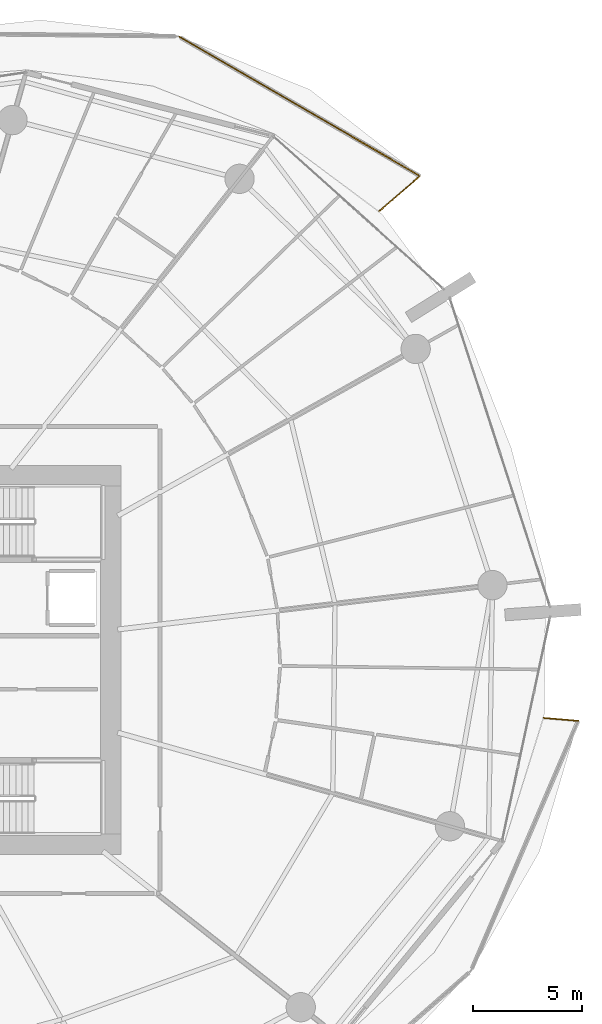
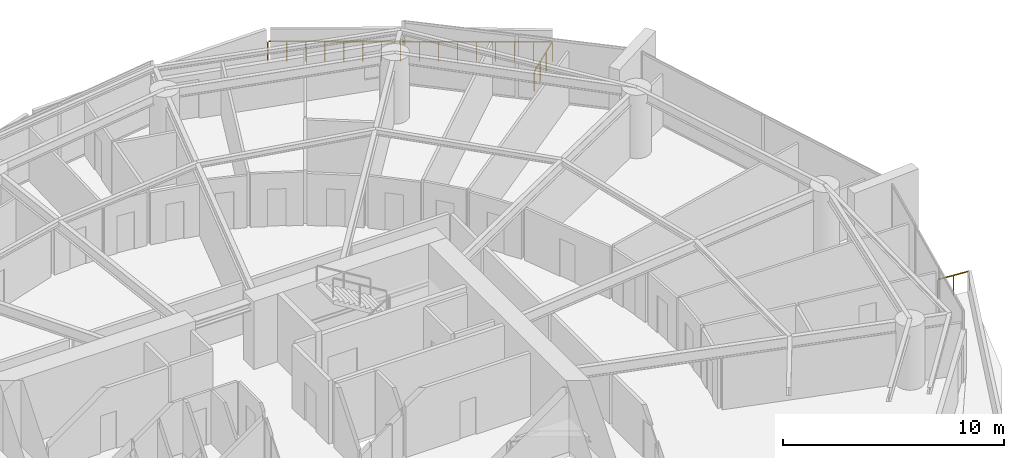
# One storey, part 31 of 31: 3 railings.
"""IFC4 building model written with IfcOpenShell, lengths in metres."""

from ifc_helpers import new_model, si_unit, direction, frame, origin, origin_2d, place, context, subcontext, project, spatial, rectangle, extrude, material, type_object, element, save


model = new_model("IFC4")

# Units and contexts
model_context = context("Model", 3, precision=1e-05, world=origin(), true_north=direction((0.0, 1.0)))
body_context = subcontext(model_context, "Body", "Model", "MODEL_VIEW")
ifc_project = project(units=[si_unit("LENGTHUNIT", "METRE"), si_unit("AREAUNIT", "SQUARE_METRE"), si_unit("VOLUMEUNIT", "CUBIC_METRE"), si_unit("PLANEANGLEUNIT", "RADIAN"), si_unit("MASSUNIT", "GRAM", prefix="KILO")], contexts=[model_context])

# Site, building, storey
site_placement = place(None, origin())
site = spatial("IfcSite", under=ifc_project, at=site_placement, CompositionType="ELEMENT")
building_placement = place(site_placement, origin())
building = spatial("IfcBuilding", under=site, at=building_placement, Name="Kazma Halo Residences", CompositionType="ELEMENT")
storey_placement = place(building_placement, frame((0.0, 0.0, 41.39990234375)))
storey = spatial("IfcBuildingStorey", under=building, at=storey_placement, Name="L09", CompositionType="ELEMENT", Elevation=41.39990234375)

# Railings
ifc_material = material(Name="Aluminium AW-6063 T6 Brushed Cap Rail", Category="aluminium")
railing_type = type_object("IfcRailingType", Name="RLG-BAL-CAP-1120", PredefinedType="BALUSTRADE", material=ifc_material)
railing_1_placement = place(storey_placement, frame((71.875732421875, 62.645263671875, 0.0)))
element("IfcRailing", 1, at=railing_1_placement, inside=storey, type_object=railing_type, Name="L09 NE wave balcony guard 1", PredefinedType="BALUSTRADE", context=body_context, shape_type="SweptSolid", body=[
    extrude(rectangle(XDim=0.050048828125, YDim=0.050048828125, at=origin_2d()), frame((0.0322265625, 0.02783203125, 1.09521484375), z_axis=(0.756405022064, 0.65410354119, 0.0), x_axis=(-0.65410354119, 0.756405022064, 0.0)), (0.0, 0.0, 1.0), 2.4111328125),
    extrude(rectangle(XDim=0.0400390625, YDim=0.0400390625, at=origin_2d()), origin(), (0.0, 0.0, 1.0), 1.05810546875),
    extrude(rectangle(XDim=0.0400390625, YDim=0.0400390625, at=origin_2d()), frame((0.62939453125, 0.544189453125, 0.0)), (0.0, 0.0, 1.0), 1.05810546875),
    extrude(rectangle(XDim=0.0400390625, YDim=0.0400390625, at=origin_2d()), frame((1.2587890625, 1.088623046875, 0.0)), (0.0, 0.0, 1.0), 1.05810546875),
    extrude(rectangle(XDim=0.0400390625, YDim=0.0400390625, at=origin_2d()), frame((1.88818359375, 1.6328125, 0.0)), (0.0, 0.0, 1.0), 1.05810546875),
])
railing_2_placement = place(storey_placement, frame((73.763916015625, 64.278076171875, 0.0)))
element("IfcRailing", 2, at=railing_2_placement, inside=storey, type_object=railing_type, Name="L09 NE wave balcony guard 2", PredefinedType="BALUSTRADE", context=body_context, shape_type="SweptSolid", body=[
    extrude(rectangle(XDim=0.050048828125, YDim=0.050048828125, at=origin_2d()), frame((-0.036865234375, 0.021240234375, 1.09521484375), z_axis=(-0.865599969538, 0.500736150818, 0.0), x_axis=(-0.500736150818, -0.865599969538, 0.0)), (0.0, 0.0, 1.0), 12.77490234375),
    extrude(rectangle(XDim=0.0400390625, YDim=0.0400390625, at=origin_2d()), origin(), (0.0, 0.0, 1.0), 1.05810546875),
    extrude(rectangle(XDim=0.0400390625, YDim=0.0400390625, at=origin_2d()), frame((-0.7421875, 0.42919921875, 0.0)), (0.0, 0.0, 1.0), 1.05810546875),
    extrude(rectangle(XDim=0.0400390625, YDim=0.0400390625, at=origin_2d()), frame((-1.484130859375, 0.858642578125, 0.0)), (0.0, 0.0, 1.0), 1.05810546875),
    extrude(rectangle(XDim=0.0400390625, YDim=0.0400390625, at=origin_2d()), frame((-2.226318359375, 1.287841796875, 0.0)), (0.0, 0.0, 1.0), 1.05810546875),
    extrude(rectangle(XDim=0.0400390625, YDim=0.0400390625, at=origin_2d()), frame((-2.968505859375, 1.71728515625, 0.0)), (0.0, 0.0, 1.0), 1.05810546875),
    extrude(rectangle(XDim=0.0400390625, YDim=0.0400390625, at=origin_2d()), frame((-3.71044921875, 2.146484375, 0.0)), (0.0, 0.0, 1.0), 1.05810546875),
    extrude(rectangle(XDim=0.0400390625, YDim=0.0400390625, at=origin_2d()), frame((-4.45263671875, 2.57568359375, 0.0)), (0.0, 0.0, 1.0), 1.05810546875),
    extrude(rectangle(XDim=0.0400390625, YDim=0.0400390625, at=origin_2d()), frame((-5.19482421875, 3.005126953125, 0.0)), (0.0, 0.0, 1.0), 1.05810546875),
    extrude(rectangle(XDim=0.0400390625, YDim=0.0400390625, at=origin_2d()), frame((-5.936767578125, 3.434326171875, 0.0)), (0.0, 0.0, 1.0), 1.05810546875),
    extrude(rectangle(XDim=0.0400390625, YDim=0.0400390625, at=origin_2d()), frame((-6.678955078125, 3.86376953125, 0.0)), (0.0, 0.0, 1.0), 1.05810546875),
    extrude(rectangle(XDim=0.0400390625, YDim=0.0400390625, at=origin_2d()), frame((-7.421142578125, 4.29296875, 0.0)), (0.0, 0.0, 1.0), 1.05810546875),
    extrude(rectangle(XDim=0.0400390625, YDim=0.0400390625, at=origin_2d()), frame((-8.1630859375, 4.72216796875, 0.0)), (0.0, 0.0, 1.0), 1.05810546875),
    extrude(rectangle(XDim=0.0400390625, YDim=0.0400390625, at=origin_2d()), frame((-8.9052734375, 5.151611328125, 0.0)), (0.0, 0.0, 1.0), 1.05810546875),
    extrude(rectangle(XDim=0.0400390625, YDim=0.0400390625, at=origin_2d()), frame((-9.6474609375, 5.580810546875, 0.0)), (0.0, 0.0, 1.0), 1.05810546875),
    extrude(rectangle(XDim=0.0400390625, YDim=0.0400390625, at=origin_2d()), frame((-10.389404296875, 6.01025390625, 0.0)), (0.0, 0.0, 1.0), 1.05810546875),
    extrude(rectangle(XDim=0.0400390625, YDim=0.0400390625, at=origin_2d()), frame((-11.131591796875, 6.439453125, 0.0)), (0.0, 0.0, 1.0), 1.05810546875),
])
railing_3_placement = place(storey_placement, frame((81.046875, 39.19580078125, 0.0)))
element("IfcRailing", 3, at=railing_3_placement, inside=storey, type_object=railing_type, Name="L09 SE wave balcony guard 4", PredefinedType="BALUSTRADE", context=body_context, shape_type="SweptSolid", body=[
    extrude(rectangle(XDim=0.050048828125, YDim=0.050048828125, at=origin_2d()), frame((-0.04248046875, 0.003662109375, 1.09521484375), z_axis=(-0.996416340817, 0.084584134162, 0.0), x_axis=(-0.084584134162, -0.996416340817, 0.0)), (0.0, 0.0, 1.0), 1.516845703125),
    extrude(rectangle(XDim=0.0400390625, YDim=0.0400390625, at=origin_2d()), origin(), (0.0, 0.0, 1.0), 1.05810546875),
    extrude(rectangle(XDim=0.0400390625, YDim=0.0400390625, at=origin_2d()), frame((-0.798095703125, 0.06787109375, 0.0)), (0.0, 0.0, 1.0), 1.05810546875),
    extrude(rectangle(XDim=0.0400390625, YDim=0.0400390625, at=origin_2d()), frame((-1.59619140625, 0.135498046875, 0.0)), (0.0, 0.0, 1.0), 1.05810546875),
])

save(model, "model.ifc")
